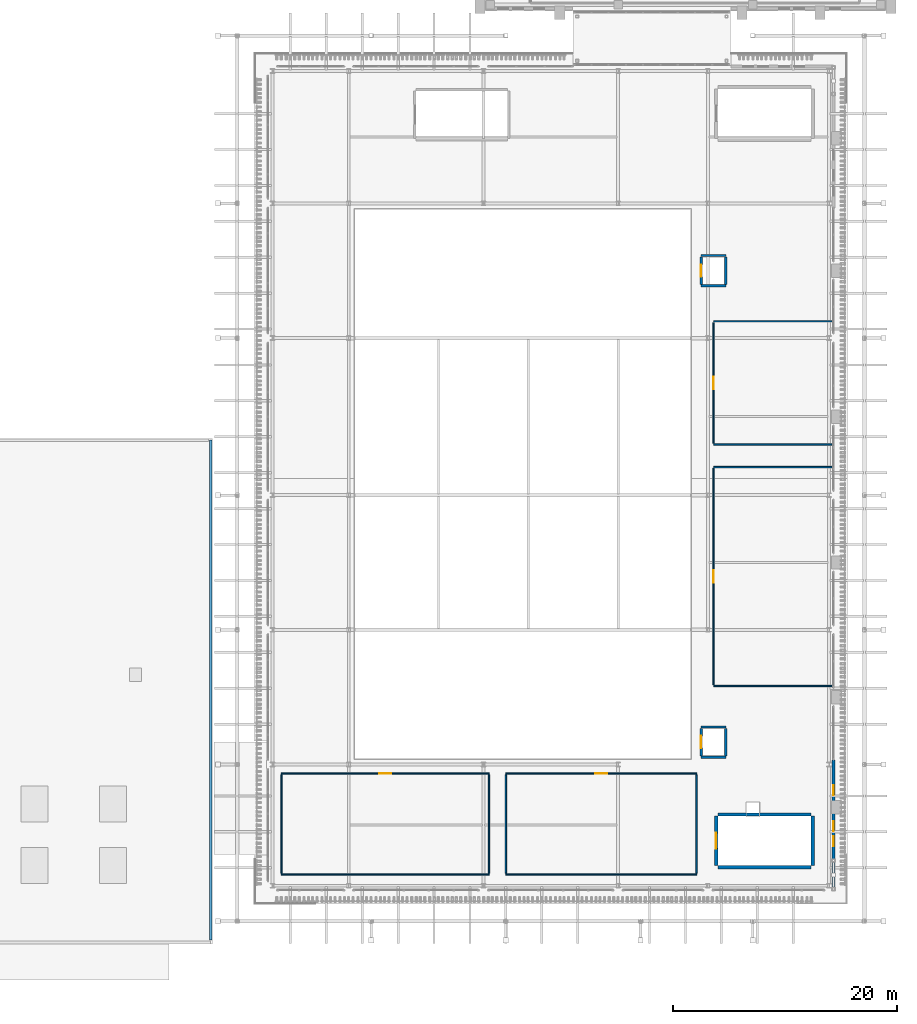
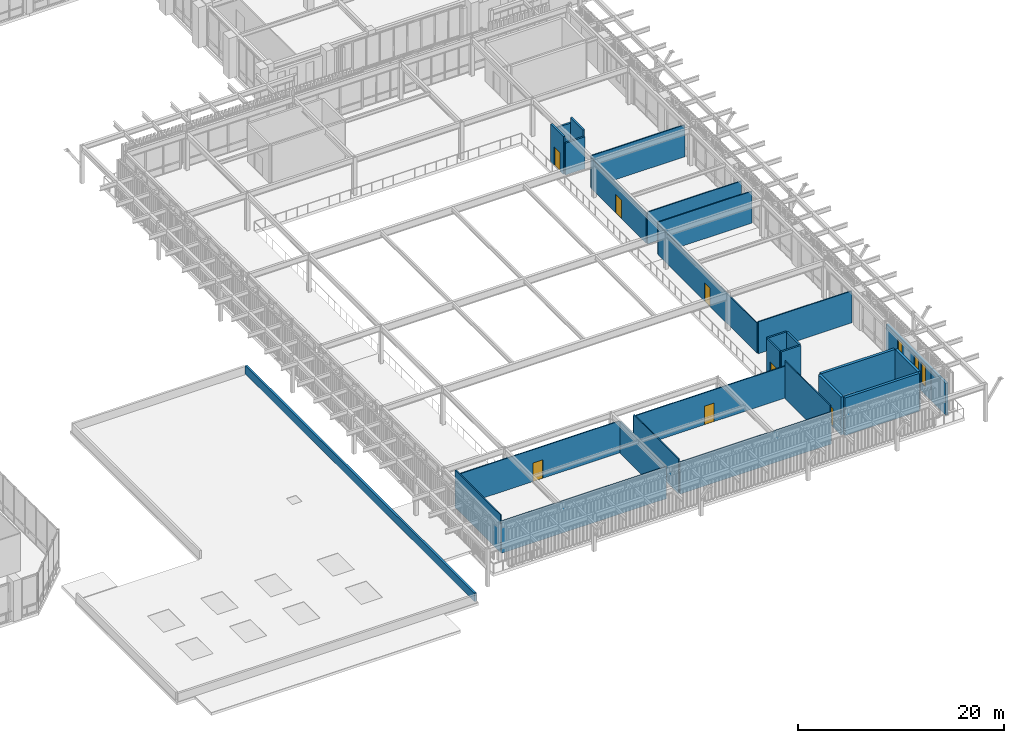
# One storey, part 98 of 126: 29 walls, 7 doors, 3 windows, 10 openings.
"""IFC4 building model written with IfcOpenShell, lengths in metres."""

from ifc_helpers import new_model, si_unit, derived_unit, direction, frame, frame_2d, origin, place, context, subcontext, project, spatial, rectangle, extrude, material, layer, layer_set, type_object, element, fill, save


model = new_model("IFC4")

# Units and contexts
model_context = context("Model", 3, precision=1e-05, world=origin(), true_north=direction((0.0, 1.0)))
body_context = subcontext(model_context, "Body", "Model", "MODEL_VIEW")
ifc_project = project(units=[si_unit("LENGTHUNIT", "METRE"), si_unit("AREAUNIT", "SQUARE_METRE"), si_unit("VOLUMEUNIT", "CUBIC_METRE"), si_unit("PLANEANGLEUNIT", "RADIAN"), si_unit("MASSUNIT", "GRAM", prefix="KILO"), derived_unit("THERMALTRANSMITTANCEUNIT", [(si_unit("MASSUNIT", "GRAM", prefix="KILO"), 1), (si_unit("TIMEUNIT", "SECOND"), -3), (si_unit("THERMODYNAMICTEMPERATUREUNIT", "KELVIN"), -1)])], contexts=[model_context])

# Site, building, storey
site_placement = place(None, origin())
site = spatial("IfcSite", under=ifc_project, at=site_placement, CompositionType="ELEMENT")
building_placement = place(site_placement, origin())
building = spatial("IfcBuilding", under=site, at=building_placement, Name="Valcora Ridge Arena", CompositionType="ELEMENT")
storey_placement = place(building_placement, frame((0.0, 0.0, 11.39990234375)))
storey = spatial("IfcBuildingStorey", under=building, at=storey_placement, Name="L02", CompositionType="ELEMENT", Elevation=11.39990234375)

# Wall
ifc_material_1 = material(Name="Bush-hammered Andean travertine on concrete backup C40/50", Category="masonry")
ifc_layer_1 = layer(ifc_material_1, 0.280029296875, Name="Bush-hammered Andean travertine on concrete backup C40/50")
ifc_layer_set_1 = layer_set([ifc_layer_1], Name="Bush-hammered Andean travertine on concrete backup C40/50")
wall_type_1 = type_object("IfcWallType", Name="TY-WALL-EW-TRV-28-38", PredefinedType="STANDARD", material=ifc_layer_set_1)
wall_1_placement = place(storey_placement, frame((187.199951171875, 4.800048828125, 0.0), z_axis=(0.0, 0.0, 1.0), x_axis=(0.0, 1.0, 0.0)))
element("IfcWall", 1, at=wall_1_placement, inside=storey, type_object=wall_type_1, Name="EW-TRV-28-38 WAL-EW-0020", PredefinedType="STANDARD", context=body_context, shape_type="SweptSolid", body=[
    extrude(rectangle(XDim=2.800048828125, YDim=0.280029296875, at=frame_2d((1.39990234375, 0.0))), origin(), (0.0, 0.0, 1.0), 3.787109375),
])

# Wall, openings, windows
wall_2_placement = place(storey_placement, frame((187.199951171875, 7.60009765625, 0.0), z_axis=(0.0, 0.0, 1.0), x_axis=(0.0, 1.0, 0.0)))
wall_2 = element("IfcWall", 2, at=wall_2_placement, inside=storey, type_object=wall_type_1, Name="EW-TRV-28-38 WAL-EW-0021", PredefinedType="STANDARD", context=body_context, shape_type="SweptSolid", body=[
    extrude(rectangle(XDim=8.81982421875, YDim=0.280029296875, at=frame_2d((4.409912109375, 0.0))), origin(), (0.0, 0.0, 1.0), 3.787109375),
])
opening_1_placement = place(wall_2_placement, frame((1.10009765625, 0.0, 0.949951171875)))
opening_1 = element("IfcOpeningElement", 3, at=opening_1_placement, cuts=wall_2, Name="Opening W-GLAN-90X249", PredefinedType="OPENING", context=body_context, shape_type="SweptSolid", body=[
    extrude(rectangle(XDim=0.89990234375, YDim=2.489990234375, at=frame_2d((0.449951171875, 1.2451171875))), frame((0.0, 0.14990234375, 0.0), z_axis=(0.0, -1.0, 0.0), x_axis=(1.0, 0.0, 0.0)), (0.0, 0.0, 1.0), 0.300048828125),
])
opening_2_placement = place(wall_2_placement, frame((2.449951171875, 0.0, 0.949951171875)))
opening_2 = element("IfcOpeningElement", 4, at=opening_2_placement, cuts=wall_2, Name="Opening W-GLAN-90X249", PredefinedType="OPENING", context=body_context, shape_type="SweptSolid", body=[
    extrude(rectangle(XDim=0.89990234375, YDim=2.489990234375, at=frame_2d((0.449951171875, 1.2451171875))), frame((0.0, 0.14990234375, 0.0), z_axis=(0.0, -1.0, 0.0), x_axis=(1.0, 0.0, 0.0)), (0.0, 0.0, 1.0), 0.300048828125),
])
opening_3_placement = place(wall_2_placement, frame((5.64990234375, 0.0, 0.949951171875)))
opening_3 = element("IfcOpeningElement", 5, at=opening_3_placement, cuts=wall_2, Name="Opening W-GLAN-90X249", PredefinedType="OPENING", context=body_context, shape_type="SweptSolid", body=[
    extrude(rectangle(XDim=0.89990234375, YDim=2.489990234375, at=frame_2d((0.449951171875, 1.2451171875))), frame((0.0, 0.14990234375, 0.0), z_axis=(0.0, -1.0, 0.0), x_axis=(1.0, 0.0, 0.0)), (0.0, 0.0, 1.0), 0.300048828125),
])
ifc_material_2 = material(Name="Low-iron solar-control double glazing SHGC 0.28", Category="glass")
window_type = type_object("IfcWindowType", Name="TY-WINDOW-W-GLAN-90X249", PartitioningType="DOUBLE_PANEL_VERTICAL", PredefinedType="WINDOW", material=ifc_material_2)
window_1_placement = place(opening_1_placement, origin())
window_1 = element("IfcWindow", 6, at=window_1_placement, inside=storey, type_object=window_type, Name="W-GLAN-90X249 WIN-EX-0015", OverallHeight=2.489990234375, OverallWidth=0.89990234375, PartitioningType="DOUBLE_PANEL_VERTICAL", PredefinedType="WINDOW", context=body_context, shape_type="SweptSolid", body=[
    extrude(rectangle(XDim=0.89990234375, YDim=2.489990234375, at=frame_2d((0.449951171875, 1.2451171875))), frame((0.0, 0.030029296875, 0.0), z_axis=(0.0, -1.0, 0.0), x_axis=(1.0, 0.0, 0.0)), (0.0, 0.0, 1.0), 0.06005859375),
])
fill(opening_1, window_1)
window_2_placement = place(opening_2_placement, origin())
window_2 = element("IfcWindow", 7, at=window_2_placement, inside=storey, type_object=window_type, Name="W-GLAN-90X249 WIN-EX-0016", OverallHeight=2.489990234375, OverallWidth=0.89990234375, PartitioningType="DOUBLE_PANEL_VERTICAL", PredefinedType="WINDOW", context=body_context, shape_type="SweptSolid", body=[
    extrude(rectangle(XDim=0.89990234375, YDim=2.489990234375, at=frame_2d((0.449951171875, 1.2451171875))), frame((0.0, 0.030029296875, 0.0), z_axis=(0.0, -1.0, 0.0), x_axis=(1.0, 0.0, 0.0)), (0.0, 0.0, 1.0), 0.06005859375),
])
fill(opening_2, window_2)
window_3_placement = place(opening_3_placement, origin())
window_3 = element("IfcWindow", 8, at=window_3_placement, inside=storey, type_object=window_type, Name="W-GLAN-90X249 WIN-EX-0017", OverallHeight=2.489990234375, OverallWidth=0.89990234375, PartitioningType="DOUBLE_PANEL_VERTICAL", PredefinedType="WINDOW", context=body_context, shape_type="SweptSolid", body=[
    extrude(rectangle(XDim=0.89990234375, YDim=2.489990234375, at=frame_2d((0.449951171875, 1.2451171875))), frame((0.0, 0.030029296875, 0.0), z_axis=(0.0, -1.0, 0.0), x_axis=(1.0, 0.0, 0.0)), (0.0, 0.0, 1.0), 0.06005859375),
])
fill(opening_3, window_3)

# Wall
ifc_material_3 = material(Name="Acoustic metal-stud gypsum partition 120 mm")
ifc_layer_2 = layer(ifc_material_3, 0.1201171875, Name="Acoustic metal-stud gypsum partition 120 mm")
ifc_layer_set_2 = layer_set([ifc_layer_2], Name="Acoustic metal-stud gypsum partition 120 mm")
wall_type_2 = type_object("IfcWallType", Name="TY-WALL-IW-PART-120", PredefinedType="PARTITIONING", material=ifc_layer_set_2)
wall_3_placement = place(storey_placement, frame((138.0, 6.199951171875, 0.0), z_axis=(0.0, 0.0, 1.0), x_axis=(1.0, 0.0, 0.0)))
element("IfcWall", 9, at=wall_3_placement, inside=storey, type_object=wall_type_2, Name="IW-PART-120 WAL-IN-0357", PredefinedType="PARTITIONING", context=body_context, shape_type="SweptSolid", body=[
    extrude(rectangle(XDim=18.5, YDim=0.1201171875, at=frame_2d((9.25, 0.0))), origin(), (0.0, 0.0, 1.0), 3.787109375),
])

# Wall, opening, door
wall_4_placement = place(storey_placement, frame((138.0, 15.199951171875, 0.0), z_axis=(0.0, 0.0, 1.0), x_axis=(1.0, 0.0, 0.0)))
wall_4 = element("IfcWall", 10, at=wall_4_placement, inside=storey, type_object=wall_type_2, Name="IW-PART-120 WAL-IN-0358", PredefinedType="PARTITIONING", context=body_context, shape_type="SweptSolid", body=[
    extrude(rectangle(XDim=18.5, YDim=0.1201171875, at=frame_2d((9.25, 0.0))), origin(), (0.0, 0.0, 1.0), 3.787109375),
])
opening_4_placement = place(wall_4_placement, frame((8.699951171875, 0.0, 0.0)))
opening_4 = element("IfcOpeningElement", 11, at=opening_4_placement, cuts=wall_4, Name="Opening D-INT-1100", PredefinedType="OPENING", context=body_context, shape_type="SweptSolid", body=[
    extrude(rectangle(XDim=1.10009765625, YDim=2.199951171875, at=frame_2d((0.550048828125, 1.10009765625))), frame((0.0, 0.070068359375, 0.0), z_axis=(0.0, -1.0, 0.0), x_axis=(1.0, 0.0, 0.0)), (0.0, 0.0, 1.0), 0.14013671875),
])
ifc_material_4 = material(Name="Solid-core acoustic timber veneer door leaf", Category="wood")
door_type_1 = type_object("IfcDoorType", Name="TY-DOOR-D-INT-1100", OperationType="NOTDEFINED", PredefinedType="DOOR", material=ifc_material_4)
door_1_placement = place(opening_4_placement, origin())
door_1 = element("IfcDoor", 12, at=door_1_placement, inside=storey, type_object=door_type_1, Name="D-INT-1100 DOR-IN-0094", OperationType="SINGLE_SWING_RIGHT", OverallHeight=2.199951171875, OverallWidth=1.10009765625, PredefinedType="DOOR", context=body_context, shape_type="SweptSolid", body=[
    extrude(rectangle(XDim=1.10009765625, YDim=2.199951171875, at=frame_2d((0.550048828125, 1.10009765625))), frame((0.0, 0.02490234375, 0.0), z_axis=(0.0, -1.0, 0.0), x_axis=(1.0, 0.0, 0.0)), (0.0, 0.0, 1.0), 0.050048828125),
])
fill(opening_4, door_1)

# Walls
wall_5_placement = place(storey_placement, frame((138.0, 6.320068359375, 0.0), z_axis=(0.0, 0.0, 1.0), x_axis=(0.0, 1.0, 0.0)))
element("IfcWall", 13, at=wall_5_placement, inside=storey, type_object=wall_type_2, Name="IW-PART-120 WAL-IN-0359", PredefinedType="PARTITIONING", context=body_context, shape_type="SweptSolid", body=[
    extrude(rectangle(XDim=8.760009765625, YDim=0.1201171875, at=frame_2d((4.3798828125, 0.0))), origin(), (0.0, 0.0, 1.0), 4.47998046875),
])
wall_6_placement = place(storey_placement, frame((156.5, 6.320068359375, 0.0), z_axis=(0.0, 0.0, 1.0), x_axis=(0.0, 1.0, 0.0)))
element("IfcWall", 14, at=wall_6_placement, inside=storey, type_object=wall_type_2, Name="IW-PART-120 WAL-IN-0360", PredefinedType="PARTITIONING", context=body_context, shape_type="SweptSolid", body=[
    extrude(rectangle(XDim=8.760009765625, YDim=0.1201171875, at=frame_2d((4.3798828125, 0.0))), origin(), (0.0, 0.0, 1.0), 3.787109375),
])
wall_7_placement = place(storey_placement, frame((158.0, 6.199951171875, 0.0), z_axis=(0.0, 0.0, 1.0), x_axis=(1.0, 0.0, 0.0)))
element("IfcWall", 15, at=wall_7_placement, inside=storey, type_object=wall_type_2, Name="IW-PART-120 WAL-IN-0361", PredefinedType="PARTITIONING", context=body_context, shape_type="SweptSolid", body=[
    extrude(rectangle(XDim=17.0, YDim=0.1201171875, at=frame_2d((8.5, 0.0))), origin(), (0.0, 0.0, 1.0), 3.787109375),
])

# Wall, opening, door
wall_8_placement = place(storey_placement, frame((158.0, 15.199951171875, 0.0), z_axis=(0.0, 0.0, 1.0), x_axis=(1.0, 0.0, 0.0)))
wall_8 = element("IfcWall", 16, at=wall_8_placement, inside=storey, type_object=wall_type_2, Name="IW-PART-120 WAL-IN-0362", PredefinedType="PARTITIONING", context=body_context, shape_type="SweptSolid", body=[
    extrude(rectangle(XDim=17.0, YDim=0.1201171875, at=frame_2d((8.5, 0.0))), origin(), (0.0, 0.0, 1.0), 3.787109375),
])
opening_5_placement = place(wall_8_placement, frame((7.949951171875, 0.0, 0.0)))
opening_5 = element("IfcOpeningElement", 17, at=opening_5_placement, cuts=wall_8, Name="Opening D-INT-1100", PredefinedType="OPENING", context=body_context, shape_type="SweptSolid", body=[
    extrude(rectangle(XDim=1.10009765625, YDim=2.199951171875, at=frame_2d((0.550048828125, 1.10009765625))), frame((0.0, 0.070068359375, 0.0), z_axis=(0.0, -1.0, 0.0), x_axis=(1.0, 0.0, 0.0)), (0.0, 0.0, 1.0), 0.14013671875),
])
door_2_placement = place(opening_5_placement, origin())
door_2 = element("IfcDoor", 18, at=door_2_placement, inside=storey, type_object=door_type_1, Name="D-INT-1100 DOR-IN-0095", OperationType="SINGLE_SWING_LEFT", OverallHeight=2.199951171875, OverallWidth=1.10009765625, PredefinedType="DOOR", context=body_context, shape_type="SweptSolid", body=[
    extrude(rectangle(XDim=1.10009765625, YDim=2.199951171875, at=frame_2d((0.550048828125, 1.10009765625))), frame((0.0, 0.02490234375, 0.0), z_axis=(0.0, -1.0, 0.0), x_axis=(1.0, 0.0, 0.0)), (0.0, 0.0, 1.0), 0.050048828125),
])
fill(opening_5, door_2)

# Walls
wall_9_placement = place(storey_placement, frame((158.0, 6.320068359375, 0.0), z_axis=(0.0, 0.0, 1.0), x_axis=(0.0, 1.0, 0.0)))
element("IfcWall", 19, at=wall_9_placement, inside=storey, type_object=wall_type_2, Name="IW-PART-120 WAL-IN-0363", PredefinedType="PARTITIONING", context=body_context, shape_type="SweptSolid", body=[
    extrude(rectangle(XDim=8.760009765625, YDim=0.1201171875, at=frame_2d((4.3798828125, 0.0))), origin(), (0.0, 0.0, 1.0), 4.07421875),
])
wall_10_placement = place(storey_placement, frame((175.0, 6.320068359375, 0.0), z_axis=(0.0, 0.0, 1.0), x_axis=(0.0, 1.0, 0.0)))
element("IfcWall", 20, at=wall_10_placement, inside=storey, type_object=wall_type_2, Name="IW-PART-120 WAL-IN-0364", PredefinedType="PARTITIONING", context=body_context, shape_type="SweptSolid", body=[
    extrude(rectangle(XDim=8.760009765625, YDim=0.1201171875, at=frame_2d((4.3798828125, 0.0))), origin(), (0.0, 0.0, 1.0), 4.47998046875),
])
for number, where, z_axis, x_axis, name in (
    (21, (176.5, 23.0, 0.0), (0.0, 0.0, 1.0), (1.0, 0.0, 0.0), "IW-PART-120 WAL-IN-0365"),
    (22, (176.5, 42.5, 0.0), (0.0, 0.0, 1.0), (1.0, 0.0, 0.0), "IW-PART-120 WAL-IN-0366"),
):
    element("IfcWall", number, at=place(storey_placement, frame(where, z_axis=z_axis, x_axis=x_axis)), inside=storey, type_object=wall_type_2, Name=name, PredefinedType="PARTITIONING", context=body_context, shape_type="SweptSolid", body=[
        extrude(rectangle(XDim=10.550048828125, YDim=0.1201171875, at=frame_2d((5.27490234375, 0.0))), origin(), (0.0, 0.0, 1.0), 3.787109375),
    ])

# Wall, opening, door
wall_11_placement = place(storey_placement, frame((176.5, 23.1201171875, 0.0), z_axis=(0.0, 0.0, 1.0), x_axis=(0.0, 1.0, 0.0)))
wall_11 = element("IfcWall", 23, at=wall_11_placement, inside=storey, type_object=wall_type_2, Name="IW-PART-120 WAL-IN-0367", PredefinedType="PARTITIONING", context=body_context, shape_type="SweptSolid", body=[
    extrude(rectangle(XDim=19.259765625, YDim=0.1201171875, at=frame_2d((9.6298828125, 0.0))), origin(), (0.0, 0.0, 1.0), 3.548095703125),
])
opening_6_placement = place(wall_11_placement, frame((9.080078125, 0.0, 0.0)))
opening_6 = element("IfcOpeningElement", 24, at=opening_6_placement, cuts=wall_11, Name="Opening D-INT-1100", PredefinedType="OPENING", context=body_context, shape_type="SweptSolid", body=[
    extrude(rectangle(XDim=1.10009765625, YDim=2.199951171875, at=frame_2d((0.550048828125, 1.10009765625))), frame((0.0, 0.070068359375, 0.0), z_axis=(0.0, -1.0, 0.0), x_axis=(1.0, 0.0, 0.0)), (0.0, 0.0, 1.0), 0.14013671875),
])
door_3_placement = place(opening_6_placement, origin())
door_3 = element("IfcDoor", 25, at=door_3_placement, inside=storey, type_object=door_type_1, Name="D-INT-1100 DOR-IN-0096", OperationType="SINGLE_SWING_RIGHT", OverallHeight=2.199951171875, OverallWidth=1.10009765625, PredefinedType="DOOR", context=body_context, shape_type="SweptSolid", body=[
    extrude(rectangle(XDim=1.10009765625, YDim=2.199951171875, at=frame_2d((0.550048828125, 1.10009765625))), frame((0.0, 0.02490234375, 0.0), z_axis=(0.0, -1.0, 0.0), x_axis=(1.0, 0.0, 0.0)), (0.0, 0.0, 1.0), 0.050048828125),
])
fill(opening_6, door_3)

# Walls
for number, where, z_axis, x_axis, name in (
    (26, (176.5, 44.5, 0.0), (0.0, 0.0, 1.0), (1.0, 0.0, 0.0), "IW-PART-120 WAL-IN-0368"),
    (27, (176.5, 55.5, 0.0), (0.0, 0.0, 1.0), (1.0, 0.0, 0.0), "IW-PART-120 WAL-IN-0369"),
):
    element("IfcWall", number, at=place(storey_placement, frame(where, z_axis=z_axis, x_axis=x_axis)), inside=storey, type_object=wall_type_2, Name=name, PredefinedType="PARTITIONING", context=body_context, shape_type="SweptSolid", body=[
        extrude(rectangle(XDim=10.550048828125, YDim=0.1201171875, at=frame_2d((5.27490234375, 0.0))), origin(), (0.0, 0.0, 1.0), 3.787109375),
    ])

# Wall, opening, door
wall_12_placement = place(storey_placement, frame((176.5, 44.6201171875, 0.0), z_axis=(0.0, 0.0, 1.0), x_axis=(0.0, 1.0, 0.0)))
wall_12 = element("IfcWall", 28, at=wall_12_placement, inside=storey, type_object=wall_type_2, Name="IW-PART-120 WAL-IN-0370", PredefinedType="PARTITIONING", context=body_context, shape_type="SweptSolid", body=[
    extrude(rectangle(XDim=10.759765625, YDim=0.1201171875, at=frame_2d((5.3798828125, 0.0))), origin(), (0.0, 0.0, 1.0), 3.548095703125),
])
opening_7_placement = place(wall_12_placement, frame((4.830078125, 0.0, 0.0)))
opening_7 = element("IfcOpeningElement", 29, at=opening_7_placement, cuts=wall_12, Name="Opening D-INT-1100", PredefinedType="OPENING", context=body_context, shape_type="SweptSolid", body=[
    extrude(rectangle(XDim=1.10009765625, YDim=2.199951171875, at=frame_2d((0.550048828125, 1.10009765625))), frame((0.0, 0.070068359375, 0.0), z_axis=(0.0, -1.0, 0.0), x_axis=(1.0, 0.0, 0.0)), (0.0, 0.0, 1.0), 0.14013671875),
])
door_4_placement = place(opening_7_placement, origin())
door_4 = element("IfcDoor", 30, at=door_4_placement, inside=storey, type_object=door_type_1, Name="D-INT-1100 DOR-IN-0097", OperationType="SINGLE_SWING_LEFT", OverallHeight=2.199951171875, OverallWidth=1.10009765625, PredefinedType="DOOR", context=body_context, shape_type="SweptSolid", body=[
    extrude(rectangle(XDim=1.10009765625, YDim=2.199951171875, at=frame_2d((0.550048828125, 1.10009765625))), frame((0.0, 0.02490234375, 0.0), z_axis=(0.0, -1.0, 0.0), x_axis=(1.0, 0.0, 0.0)), (0.0, 0.0, 1.0), 0.050048828125),
])
fill(opening_7, door_4)

# Walls
ifc_material_5 = material(Name="Concrete C40/50", Category="concrete")
ifc_layer_3 = layer(ifc_material_5, 0.199951171875, Name="Concrete C40/50")
ifc_layer_set_3 = layer_set([ifc_layer_3], Name="Concrete C40/50")
wall_type_3 = type_object("IfcWallType", Name="TY-WALL-IW-SHF-200", PredefinedType="STANDARD", material=ifc_layer_set_3)
for number, where, z_axis, x_axis, name in (
    (31, (175.39990234375, 16.64990234375, 0.0), (0.0, 0.0, 1.0), (1.0, 0.0, 0.0), "IW-SHF-200 WAL-SH-0169"),
    (32, (175.39990234375, 19.35009765625, 0.0), (0.0, 0.0, 1.0), (1.0, 0.0, 0.0), "IW-SHF-200 WAL-SH-0170"),
):
    element("IfcWall", number, at=place(storey_placement, frame(where, z_axis=z_axis, x_axis=x_axis)), inside=storey, type_object=wall_type_3, Name=name, PredefinedType="STANDARD", context=body_context, shape_type="SweptSolid", body=[
        extrude(rectangle(XDim=2.2001953125, YDim=0.199951171875, at=frame_2d((1.10009765625, 0.0))), origin(), (0.0, 0.0, 1.0), 4.47998046875),
    ])

# Wall, opening, door
wall_13_placement = place(storey_placement, frame((175.39990234375, 16.77001953125, 0.0), z_axis=(0.0, 0.0, 1.0), x_axis=(0.0, 1.0, 0.0)))
wall_13 = element("IfcWall", 33, at=wall_13_placement, inside=storey, type_object=wall_type_3, Name="IW-SHF-200 WAL-SH-0171", PredefinedType="STANDARD", context=body_context, shape_type="SweptSolid", body=[
    extrude(rectangle(XDim=2.4599609375, YDim=0.199951171875, at=frame_2d((1.22998046875, 0.0))), origin(), (0.0, 0.0, 1.0), 4.47998046875),
])
opening_8_placement = place(wall_13_placement, frame((0.679931640625, 0.0, 0.0)))
opening_8 = element("IfcOpeningElement", 34, at=opening_8_placement, cuts=wall_13, Name="Opening LD-PAX", PredefinedType="OPENING", context=body_context, shape_type="SweptSolid", body=[
    extrude(rectangle(XDim=1.10009765625, YDim=2.14990234375, at=frame_2d((0.550048828125, 1.074951171875))), frame((0.0, 0.10986328125, 0.0), z_axis=(0.0, -1.0, 0.0), x_axis=(1.0, 0.0, 0.0)), (0.0, 0.0, 1.0), 0.219970703125),
])
ifc_material_6 = material(Name="Insulated fire-rated hollow metal steel", Category="steel")
door_type_2 = type_object("IfcDoorType", Name="TY-DOOR-LD-PAX", OperationType="NOTDEFINED", PredefinedType="DOOR", material=ifc_material_6)
door_5_placement = place(opening_8_placement, origin())
door_5 = element("IfcDoor", 35, at=door_5_placement, inside=storey, type_object=door_type_2, Name="PL6 Landing Door L02", OperationType="SLIDING_TO_LEFT", OverallHeight=2.14990234375, OverallWidth=1.10009765625, PredefinedType="DOOR", context=body_context, shape_type="SweptSolid", body=[
    extrude(rectangle(XDim=1.10009765625, YDim=2.14990234375, at=frame_2d((0.550048828125, 1.074951171875))), frame((0.0, 0.02490234375, 0.0), z_axis=(0.0, -1.0, 0.0), x_axis=(1.0, 0.0, 0.0)), (0.0, 0.0, 1.0), 0.050048828125),
])
fill(opening_8, door_5)

# Walls
wall_14_placement = place(storey_placement, frame((177.60009765625, 16.77001953125, 0.0), z_axis=(0.0, 0.0, 1.0), x_axis=(0.0, 1.0, 0.0)))
element("IfcWall", 36, at=wall_14_placement, inside=storey, type_object=wall_type_3, Name="IW-SHF-200 WAL-SH-0172", PredefinedType="STANDARD", context=body_context, shape_type="SweptSolid", body=[
    extrude(rectangle(XDim=2.4599609375, YDim=0.199951171875, at=frame_2d((1.22998046875, 0.0))), origin(), (0.0, 0.0, 1.0), 4.47998046875),
])
for number, where, z_axis, x_axis, name in (
    (37, (175.39990234375, 58.64990234375, 0.0), (0.0, 0.0, 1.0), (1.0, 0.0, 0.0), "IW-SHF-200 WAL-SH-0241"),
    (38, (175.39990234375, 61.35009765625, 0.0), (0.0, 0.0, 1.0), (1.0, 0.0, 0.0), "IW-SHF-200 WAL-SH-0242"),
):
    element("IfcWall", number, at=place(storey_placement, frame(where, z_axis=z_axis, x_axis=x_axis)), inside=storey, type_object=wall_type_3, Name=name, PredefinedType="STANDARD", context=body_context, shape_type="SweptSolid", body=[
        extrude(rectangle(XDim=2.2001953125, YDim=0.199951171875, at=frame_2d((1.10009765625, 0.0))), origin(), (0.0, 0.0, 1.0), 3.787109375),
    ])

# Wall, opening, door
wall_15_placement = place(storey_placement, frame((175.39990234375, 58.77001953125, 0.0), z_axis=(0.0, 0.0, 1.0), x_axis=(0.0, 1.0, 0.0)))
wall_15 = element("IfcWall", 39, at=wall_15_placement, inside=storey, type_object=wall_type_3, Name="IW-SHF-200 WAL-SH-0243", PredefinedType="STANDARD", context=body_context, shape_type="SweptSolid", body=[
    extrude(rectangle(XDim=2.4599609375, YDim=0.199951171875, at=frame_2d((1.22998046875, 0.0))), origin(), (0.0, 0.0, 1.0), 4.47998046875),
])
opening_9_placement = place(wall_15_placement, frame((0.679931640625, 0.0, 0.0)))
opening_9 = element("IfcOpeningElement", 40, at=opening_9_placement, cuts=wall_15, Name="Opening LD-PAX", PredefinedType="OPENING", context=body_context, shape_type="SweptSolid", body=[
    extrude(rectangle(XDim=1.10009765625, YDim=2.14990234375, at=frame_2d((0.550048828125, 1.074951171875))), frame((0.0, 0.10986328125, 0.0), z_axis=(0.0, -1.0, 0.0), x_axis=(1.0, 0.0, 0.0)), (0.0, 0.0, 1.0), 0.219970703125),
])
door_6_placement = place(opening_9_placement, origin())
door_6 = element("IfcDoor", 41, at=door_6_placement, inside=storey, type_object=door_type_2, Name="CL4 Landing Door L02", OperationType="SLIDING_TO_LEFT", OverallHeight=2.14990234375, OverallWidth=1.10009765625, PredefinedType="DOOR", context=body_context, shape_type="SweptSolid", body=[
    extrude(rectangle(XDim=1.10009765625, YDim=2.14990234375, at=frame_2d((0.550048828125, 1.074951171875))), frame((0.0, 0.02490234375, 0.0), z_axis=(0.0, -1.0, 0.0), x_axis=(1.0, 0.0, 0.0)), (0.0, 0.0, 1.0), 0.050048828125),
])
fill(opening_9, door_6)

# Walls
wall_16_placement = place(storey_placement, frame((177.60009765625, 58.77001953125, 0.0), z_axis=(0.0, 0.0, 1.0), x_axis=(0.0, 1.0, 0.0)))
element("IfcWall", 42, at=wall_16_placement, inside=storey, type_object=wall_type_3, Name="IW-SHF-200 WAL-SH-0244", PredefinedType="STANDARD", context=body_context, shape_type="SweptSolid", body=[
    extrude(rectangle(XDim=2.4599609375, YDim=0.199951171875, at=frame_2d((1.22998046875, 0.0))), origin(), (0.0, 0.0, 1.0), 4.47998046875),
])
ifc_material_7 = material(Name="Concrete C45/55", Category="concrete")
ifc_layer_4 = layer(ifc_material_7, 0.300048828125, Name="Concrete C45/55")
ifc_layer_set_4 = layer_set([ifc_layer_4], Name="Concrete C45/55")
wall_type_4 = type_object("IfcWallType", Name="TY-WALL-SW-C300-L", PredefinedType="SHEAR", material=ifc_layer_set_4)
for number, where, z_axis, x_axis, name in (
    (43, (176.8798828125, 6.85009765625, 0.0), (0.0, 0.0, 1.0), (1.0, 0.0, 0.0), "SW-C300-L WAL-CR-0225"),
    (44, (176.8798828125, 11.550048828125, 0.0), (0.0, 0.0, 1.0), (1.0, 0.0, 0.0), "SW-C300-L WAL-CR-0226"),
):
    element("IfcWall", number, at=place(storey_placement, frame(where, z_axis=z_axis, x_axis=x_axis)), inside=storey, type_object=wall_type_4, Name=name, PredefinedType="SHEAR", context=body_context, shape_type="SweptSolid", body=[
        extrude(rectangle(XDim=8.320068359375, YDim=0.300048828125, at=frame_2d((4.16015625, 0.0))), origin(), (0.0, 0.0, 1.0), 4.47998046875),
    ])

# Wall, opening, door
ifc_layer_5 = layer(ifc_material_7, 0.300048828125, Name="Concrete C45/55")
ifc_layer_set_5 = layer_set([ifc_layer_5], Name="Concrete C45/55")
wall_type_5 = type_object("IfcWallType", Name="TY-WALL-SW-C300-S", PredefinedType="SHEAR", material=ifc_layer_set_5)
wall_17_placement = place(storey_placement, frame((176.72998046875, 7.0, 0.0), z_axis=(0.0, 0.0, 1.0), x_axis=(0.0, 1.0, 0.0)))
wall_17 = element("IfcWall", 45, at=wall_17_placement, inside=storey, type_object=wall_type_5, Name="SW-C300-S WAL-CR-0227", PredefinedType="SHEAR", context=body_context, shape_type="SweptSolid", body=[
    extrude(rectangle(XDim=4.39990234375, YDim=0.300048828125, at=frame_2d((2.199951171875, 0.0))), origin(), (0.0, 0.0, 1.0), 4.47998046875),
])
opening_10_placement = place(wall_17_placement, frame((1.5, 0.0, 0.0)))
opening_10 = element("IfcOpeningElement", 46, at=opening_10_placement, cuts=wall_17, Name="Opening FD-01", PredefinedType="OPENING", context=body_context, shape_type="SweptSolid", body=[
    extrude(rectangle(XDim=1.39990234375, YDim=2.199951171875, at=frame_2d((0.699951171875, 1.10009765625))), frame((0.0, 0.159912109375, 0.0), z_axis=(0.0, -1.0, 0.0), x_axis=(1.0, 0.0, 0.0)), (0.0, 0.0, 1.0), 0.320068359375),
])
ifc_material_8 = material(Name="Insulated fire-rated steel door leaf", Category="steel")
door_type_3 = type_object("IfcDoorType", Name="TY-DOOR-FD-01", OperationType="NOTDEFINED", PredefinedType="DOOR", material=ifc_material_8)
door_7_placement = place(opening_10_placement, origin())
door_7 = element("IfcDoor", 47, at=door_7_placement, inside=storey, type_object=door_type_3, Name="FD-01 DOR-ST-0057", OperationType="DOUBLE_DOOR_SINGLE_SWING", OverallHeight=2.199951171875, OverallWidth=1.39990234375, PredefinedType="DOOR", context=body_context, shape_type="SweptSolid", body=[
    extrude(rectangle(XDim=1.39990234375, YDim=2.199951171875, at=frame_2d((0.699951171875, 1.10009765625))), frame((0.0, 0.02490234375, 0.0), z_axis=(0.0, -1.0, 0.0), x_axis=(1.0, 0.0, 0.0)), (0.0, 0.0, 1.0), 0.050048828125),
])
fill(opening_10, door_7)

# Walls
wall_18_placement = place(storey_placement, frame((185.35009765625, 7.0, 0.0), z_axis=(0.0, 0.0, 1.0), x_axis=(0.0, 1.0, 0.0)))
element("IfcWall", 48, at=wall_18_placement, inside=storey, type_object=wall_type_5, Name="SW-C300-S WAL-CR-0228", PredefinedType="SHEAR", context=body_context, shape_type="SweptSolid", body=[
    extrude(rectangle(XDim=4.39990234375, YDim=0.300048828125, at=frame_2d((2.199951171875, 0.0))), origin(), (0.0, 0.0, 1.0), 4.47998046875),
])
ifc_layer_6 = layer(ifc_material_1, 0.239990234375, Name="Bush-hammered Andean travertine on concrete backup C40/50")
ifc_layer_set_6 = layer_set([ifc_layer_6], Name="Bush-hammered Andean travertine on concrete backup C40/50")
wall_type_6 = type_object("IfcWallType", Name="TY-WALL-WP-PARA-240", PredefinedType="PARAPET", material=ifc_layer_set_6)
wall_19_placement = place(storey_placement, frame((131.699951171875, 0.35009765625, 0.0), z_axis=(0.0, 0.0, 1.0), x_axis=(0.0, 1.0, 0.0)))
element("IfcWall", 49, at=wall_19_placement, inside=storey, type_object=wall_type_6, Name="WP-PARA-240 WAL-PP-0002", PredefinedType="PARAPET", context=body_context, shape_type="SweptSolid", body=[
    extrude(rectangle(XDim=44.5498046875, YDim=0.239990234375, at=frame_2d((22.27490234375, 0.0))), origin(), (0.0, 0.0, 1.0), 1.0),
])

save(model, "model.ifc")
